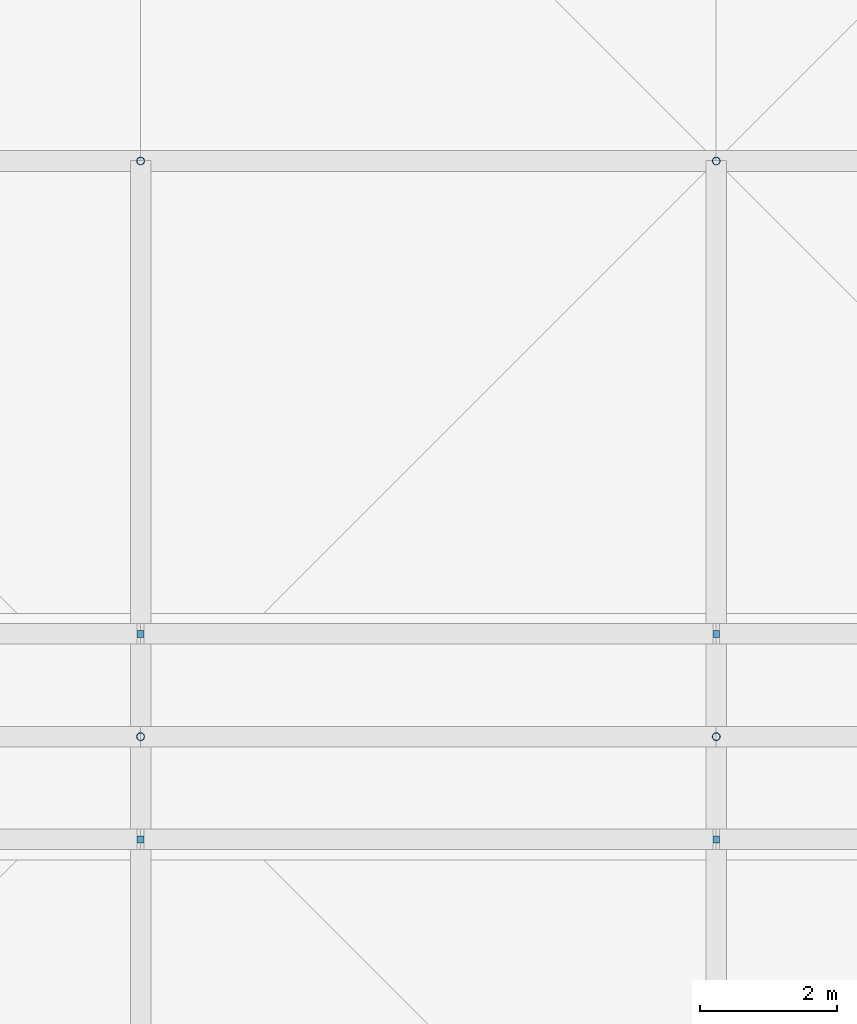
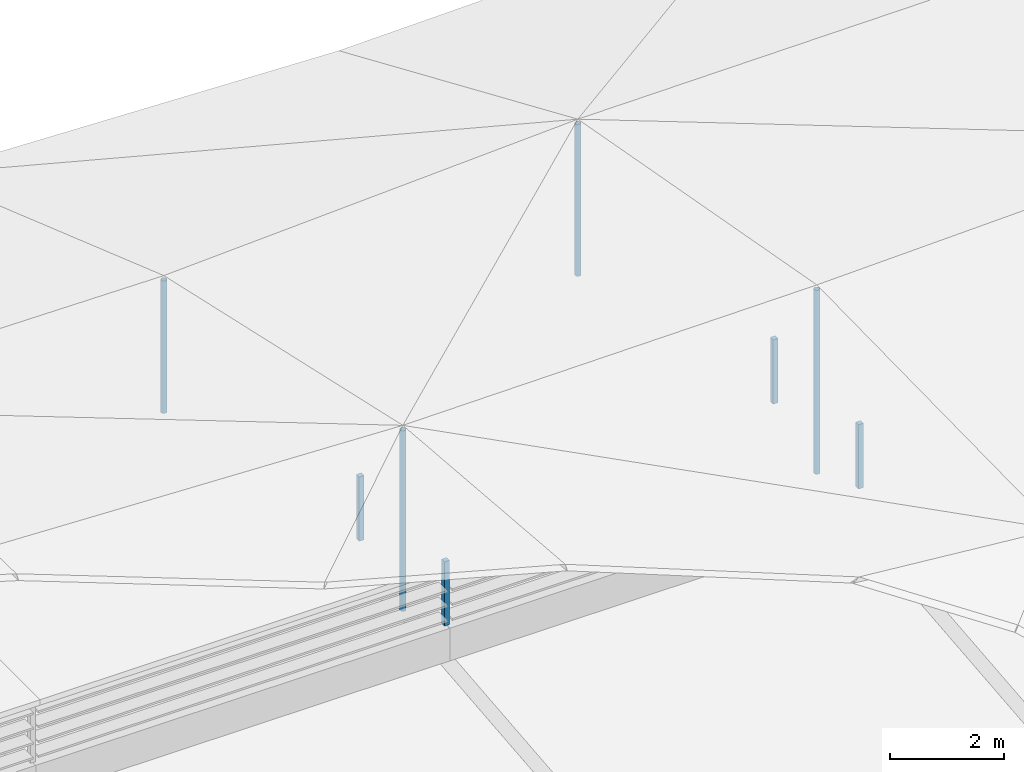
# One storey, part 20 of 46: 8 discrete accessories.
"""IFC4 building model written with IfcOpenShell, lengths in metres."""

from ifc_helpers import new_model, si_unit, direction, frame, origin, origin_2d, place, context, subcontext, project, spatial, rectangle, hollow_circle, extrude, material, layer, layer_set, material_profile, profile_set, type_object, element, save


model = new_model("IFC4")

# Units and contexts
model_context = context("Model", 3, precision=1e-05, world=origin(), true_north=direction((0.0, 1.0)))
body_context = subcontext(model_context, "Body", "Model", "MODEL_VIEW")
ifc_project = project(units=[si_unit("LENGTHUNIT", "METRE"), si_unit("AREAUNIT", "SQUARE_METRE"), si_unit("VOLUMEUNIT", "CUBIC_METRE"), si_unit("PLANEANGLEUNIT", "RADIAN"), si_unit("MASSUNIT", "GRAM", prefix="KILO")], contexts=[model_context])

# Site, building, storey
site_placement = place(None, origin())
site = spatial("IfcSite", under=ifc_project, at=site_placement, CompositionType="ELEMENT")
building_placement = place(site_placement, origin())
building = spatial("IfcBuilding", under=site, at=building_placement, Name="Rain Tree Exposition and Congress Centre", CompositionType="ELEMENT")
storey_placement = place(building_placement, frame((0.0, 0.0, 27.0)))
storey = spatial("IfcBuildingStorey", under=building, at=storey_placement, Name="ROOF VAULT CREST", CompositionType="ELEMENT", Elevation=27.0)

# Discrete accessories
ifc_material_1 = material(Name="Steel S355J2", Category="steel")
ifc_layer = layer(ifc_material_1, 0.10009765625)
ifc_layer_set = layer_set([ifc_layer], Name="Steel S355J2")
discrete_accessory_type_1 = type_object("IfcDiscreteAccessoryType", Name="Ridge lantern post 100", PredefinedType="BRACKET", material=ifc_layer_set)
for number, where, z_axis, x_axis, name in (
    (1, (218.39990234375, 124.5, 2.0), (0.0, 0.0, 1.0), (1.0, 0.0, 0.0), "Lantern post S9"),
    (2, (226.800048828125, 124.5, 2.0), (0.0, 0.0, 1.0), (1.0, 0.0, 0.0), "Lantern post S10"),
    (3, (218.39990234375, 127.5, 2.0), (0.0, 0.0, 1.0), (1.0, 0.0, 0.0), "Lantern post N9"),
    (4, (226.800048828125, 127.5, 2.0), (0.0, 0.0, 1.0), (1.0, 0.0, 0.0), "Lantern post N10"),
):
    element("IfcDiscreteAccessory", number, at=place(storey_placement, frame(where, z_axis=z_axis, x_axis=x_axis)), inside=storey, type_object=discrete_accessory_type_1, Name=name, PredefinedType="BRACKET", context=body_context, shape_type="SweptSolid", body=[
        extrude(rectangle(XDim=0.10009765625, YDim=0.10009765625, at=origin_2d()), origin(), (0.0, 0.0, 1.0), 1.3798828125),
    ])
ifc_material_2 = material(Name="Steel S355J2H", Category="steel")
ifc_material_profile = material_profile(ifc_material_2, hollow_circle(Radius=0.05712890625, WallThickness=0.00439453125, at=origin_2d()), Name="CHS 114x4.5")
ifc_profile_set = profile_set([ifc_material_profile], Name="Steel S355J2H")
discrete_accessory_type_2 = type_object("IfcDiscreteAccessoryType", Name="Roof skin post CHS 114x4.5", PredefinedType="BRACKET", material=ifc_profile_set)
discrete_accessory_1_placement = place(storey_placement, frame((218.39990234375, 126.0, 1.39990234375), z_axis=(0.0, 0.0, 1.0), x_axis=(1.0, 0.0, 0.0)))
element("IfcDiscreteAccessory", 5, at=discrete_accessory_1_placement, inside=storey, type_object=discrete_accessory_type_2, Name="Roof skin post B49", PredefinedType="BRACKET", context=body_context, shape_type="SweptSolid", body=[
    extrude(hollow_circle(Radius=0.05712890625, WallThickness=0.00439453125, at=origin_2d()), origin(), (0.0, 0.0, 1.0), 3.872314453125),
])
discrete_accessory_2_placement = place(storey_placement, frame((226.800048828125, 126.0, 1.39990234375), z_axis=(0.0, 0.0, 1.0), x_axis=(1.0, 0.0, 0.0)))
element("IfcDiscreteAccessory", 6, at=discrete_accessory_2_placement, inside=storey, type_object=discrete_accessory_type_2, Name="Roof skin post B50", PredefinedType="BRACKET", context=body_context, shape_type="SweptSolid", body=[
    extrude(hollow_circle(Radius=0.05712890625, WallThickness=0.00439453125, at=origin_2d()), origin(), (0.0, 0.0, 1.0), 3.944091796875),
])
discrete_accessory_3_placement = place(storey_placement, frame((218.39990234375, 134.39990234375, 0.551025390625), z_axis=(0.0, 0.0, 1.0), x_axis=(1.0, 0.0, 0.0)))
element("IfcDiscreteAccessory", 7, at=discrete_accessory_3_placement, inside=storey, type_object=discrete_accessory_type_2, Name="Roof skin post B62", PredefinedType="BRACKET", context=body_context, shape_type="SweptSolid", body=[
    extrude(hollow_circle(Radius=0.05712890625, WallThickness=0.00439453125, at=origin_2d()), origin(), (0.0, 0.0, 1.0), 2.83984375),
])
discrete_accessory_4_placement = place(storey_placement, frame((226.800048828125, 134.39990234375, 0.551025390625), z_axis=(0.0, 0.0, 1.0), x_axis=(1.0, 0.0, 0.0)))
element("IfcDiscreteAccessory", 8, at=discrete_accessory_4_placement, inside=storey, type_object=discrete_accessory_type_2, Name="Roof skin post B63", PredefinedType="BRACKET", context=body_context, shape_type="SweptSolid", body=[
    extrude(hollow_circle(Radius=0.05712890625, WallThickness=0.00439453125, at=origin_2d()), origin(), (0.0, 0.0, 1.0), 3.25439453125),
])

save(model, "model.ifc")
